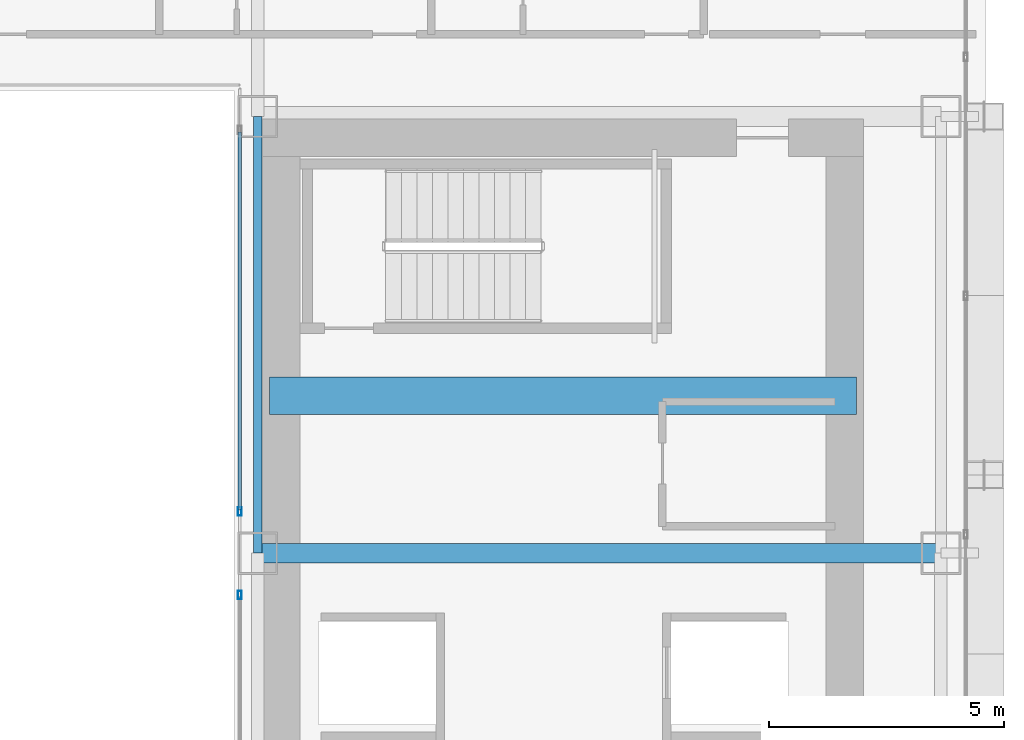
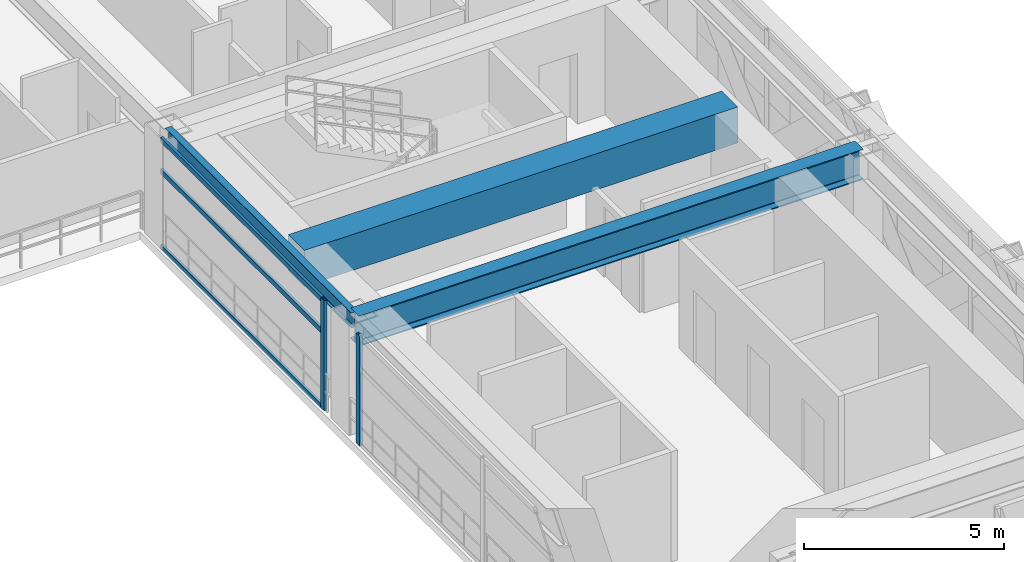
# One storey, part 17 of 41: 5 members, 3 beams, 2 elements without a shape of their own.
"""IFC4 building model written with IfcOpenShell, lengths in metres."""

from ifc_helpers import new_model, si_unit, direction, frame, origin, origin_2d, place, context, subcontext, project, spatial, rectangle, hollow_rectangle, i_section, extrude, source, transform, mapped, material, layer, layer_set, material_profile, profile_set, type_object, element, aggregate, save


model = new_model("IFC4")

# Units and contexts
model_context = context("Model", 3, precision=1e-05, world=origin(), true_north=direction((0.0, 1.0)))
body_context = subcontext(model_context, "Body", "Model", "MODEL_VIEW")
ifc_project = project(units=[si_unit("LENGTHUNIT", "METRE"), si_unit("AREAUNIT", "SQUARE_METRE"), si_unit("VOLUMEUNIT", "CUBIC_METRE"), si_unit("PLANEANGLEUNIT", "RADIAN"), si_unit("MASSUNIT", "GRAM", prefix="KILO")], contexts=[model_context])

# Site, building, storey
site_placement = place(None, origin())
site = spatial("IfcSite", under=ifc_project, at=site_placement, CompositionType="ELEMENT")
building_placement = place(site_placement, origin())
building = spatial("IfcBuilding", under=site, at=building_placement, Name="Ocotamira Hotel", CompositionType="ELEMENT")
storey_placement = place(building_placement, frame((0.0, 0.0, 52.800048828125)))
storey = spatial("IfcBuildingStorey", under=building, at=storey_placement, Name="L12", CompositionType="ELEMENT", Elevation=52.800048828125)

# Beams
ifc_material_1 = material(Name="Concrete C60/75", Category="concrete")
ifc_material_profile_1 = material_profile(ifc_material_1, rectangle(XDim=0.800048828125, YDim=1.10009765625, at=origin_2d()), Name="RC800X1100")
ifc_profile_set_1 = profile_set([ifc_material_profile_1], Name="Concrete C60/75")
beam_type_1 = type_object("IfcBeamType", Name="BM-LINK-RC800", PredefinedType="LINTEL", material=ifc_profile_set_1)
shared_shape_1 = source(origin(), body_context, "Body", "SweptSolid", [
    extrude(rectangle(XDim=0.800048828125, YDim=1.10009765625, at=origin_2d()), origin(), (0.0, 0.0, 1.0), 12.5),
])
beam_1_placement = place(storey_placement, frame((40.75, 31.5, 2.800048828125), z_axis=(1.0, 0.0, 0.0), x_axis=(0.0, 1.0, 0.0)))
element("IfcBeam", 1, at=beam_1_placement, inside=storey, type_object=beam_type_1, Name="L12 East Core Coupling Beam", PredefinedType="LINTEL", context=body_context, shape_type="MappedRepresentation", body=[
    mapped(shared_shape_1, transform((0.0, 0.0, 0.0), scale=1.0)),
])
ifc_material_2 = material(Name="Steel ASTM A992 Grade 50", Category="steel")
ifc_material_profile_2 = material_profile(ifc_material_2, i_section(OverallWidth=0.41796875, OverallDepth=0.927001953125, WebThickness=0.019287109375, FlangeThickness=0.031982421875, FilletRadius=0.02392578125, at=origin_2d()), Name="W36X231")
ifc_profile_set_2 = profile_set([ifc_material_profile_2], Name="Steel ASTM A992 Grade 50")
beam_type_2 = type_object("IfcBeamType", Name="BM-GIRD-W36X231", PredefinedType="BEAM", material=ifc_profile_set_2)
shared_shape_2 = source(origin(), body_context, "Body", "SweptSolid", [
    extrude(i_section(OverallWidth=0.41796875, OverallDepth=0.927001953125, WebThickness=0.019287109375, FlangeThickness=0.031982421875, FilletRadius=0.02392578125, at=origin_2d()), origin(), (0.0, 0.0, 1.0), 14.550048828125),
])
beam_2_placement = place(storey_placement, frame((40.5, 28.14990234375, 2.886474609375), z_axis=(1.0, 0.0, 0.0), x_axis=(0.0, 1.0, 0.0)))
element("IfcBeam", 2, at=beam_2_placement, inside=storey, type_object=beam_type_2, Name="L12 Girder Y28.15 X40.5-55.05", PredefinedType="BEAM", context=body_context, shape_type="MappedRepresentation", body=[
    mapped(shared_shape_2, transform((0.0, 0.0, 0.0), scale=1.0)),
])
ifc_material_profile_3 = material_profile(ifc_material_2, i_section(OverallWidth=0.18994140625, OverallDepth=0.45703125, WebThickness=0.009033203125, FlangeThickness=0.014404296875, FilletRadius=0.010009765625, at=origin_2d()), Name="W18X50")
ifc_profile_set_3 = profile_set([ifc_material_profile_3], Name="Steel ASTM A992 Grade 50")
beam_type_3 = type_object("IfcBeamType", Name="BM-SEC-W18X50", PredefinedType="JOIST", material=ifc_profile_set_3)
shared_shape_3 = source(origin(), body_context, "Body", "SweptSolid", [
    extrude(i_section(OverallWidth=0.18994140625, OverallDepth=0.45703125, WebThickness=0.009033203125, FlangeThickness=0.014404296875, FilletRadius=0.010009765625, at=origin_2d()), origin(), (0.0, 0.0, 1.0), 9.300048828125),
])
beam_3_placement = place(storey_placement, frame((40.5, 28.14990234375, 3.121337890625), z_axis=(0.0, 1.0, 0.0), x_axis=(-1.0, 0.0, 0.0)))
element("IfcBeam", 3, at=beam_3_placement, inside=storey, type_object=beam_type_3, Name="L12 Beam X40.5 Y28.15-37.45", PredefinedType="JOIST", context=body_context, shape_type="MappedRepresentation", body=[
    mapped(shared_shape_3, transform((0.0, 0.0, 0.0), scale=1.0)),
])

# Curtain wall, member
ifc_material_3 = material(Name="Anodised pale-metal aluminium and solar glass", Category="aluminium")
ifc_layer = layer(ifc_material_3, 0.159912109375)
ifc_layer_set = layer_set([ifc_layer], Name="Anodised pale-metal aluminium and solar glass")
curtain_wall_type = type_object("IfcCurtainWallType", Name="CW-SYS6-ATR", PredefinedType="NOTDEFINED", material=ifc_layer_set)
curtain_wall_1_placement = place(storey_placement, origin())
curtain_wall_1 = element("IfcCurtainWall", 4, at=curtain_wall_1_placement, inside=storey, type_object=curtain_wall_type, Name="L12 Curtain Wall CW-6 CW-L12-ATRE1", PredefinedType="NOTDEFINED")
ifc_material_4 = material(Name="Anodised pale-metal aluminium 6063-T6", Category="aluminium")
ifc_material_profile_4 = material_profile(ifc_material_4, hollow_rectangle(XDim=0.080078125, YDim=0.179931640625, WallThickness=0.006103515625, at=origin_2d()), Name="HSS180X80X6")
ifc_profile_set_4 = profile_set([ifc_material_profile_4], Name="Anodised pale-metal aluminium 6063-T6")
member_type_1 = type_object("IfcMemberType", Name="CWM-180X75", PredefinedType="MULLION", material=ifc_profile_set_4)
shared_shape_4 = source(origin(), body_context, "Body", "SweptSolid", [
    extrude(hollow_rectangle(XDim=0.080078125, YDim=0.179931640625, WallThickness=0.006103515625, at=origin_2d()), origin(), (0.0, 0.0, 1.0), 3.349853515625),
])
member_1_placement = place(storey_placement, frame((40.1201171875, 27.260009765625, 0.0), z_axis=(0.0, 0.0, 1.0), x_axis=(-1.0, 0.0, 0.0)))
member_1 = element("IfcMember", 5, at=member_1_placement, type_object=member_type_1, Name="CW-6 mullion 3", PredefinedType="MULLION", context=body_context, shape_type="MappedRepresentation", body=[
    mapped(shared_shape_4, transform((0.0, 0.0, 0.0), scale=1.0)),
])
aggregate(curtain_wall_1, [member_1])

# Curtain wall, members
curtain_wall_2_placement = place(storey_placement, origin())
curtain_wall_2 = element("IfcCurtainWall", 6, at=curtain_wall_2_placement, inside=storey, type_object=curtain_wall_type, Name="L12 Curtain Wall CW-6 CW-L12-ATRE2", PredefinedType="NOTDEFINED")
member_2_placement = place(storey_placement, frame((40.1201171875, 29.0400390625, 0.0), z_axis=(0.0, 0.0, 1.0), x_axis=(-1.0, 0.0, 0.0)))
member_2 = element("IfcMember", 7, at=member_2_placement, type_object=member_type_1, Name="CW-6 mullion 1", PredefinedType="MULLION", context=body_context, shape_type="MappedRepresentation", body=[
    mapped(shared_shape_4, transform((0.0, 0.0, 0.0), scale=1.0)),
])
ifc_material_profile_5 = material_profile(ifc_material_4, hollow_rectangle(XDim=0.074951171875, YDim=0.14990234375, WallThickness=0.006103515625, at=origin_2d()), Name="HSS150X75X6")
ifc_profile_set_5 = profile_set([ifc_material_profile_5], Name="Anodised pale-metal aluminium 6063-T6")
member_type_2 = type_object("IfcMemberType", Name="CWT-150X75", PredefinedType="USERDEFINED", material=ifc_profile_set_5)
shared_shape_5 = source(origin(), body_context, "Body", "SweptSolid", [
    extrude(hollow_rectangle(XDim=0.074951171875, YDim=0.14990234375, WallThickness=0.006103515625, at=origin_2d()), origin(), (0.0, 0.0, 1.0), 8.0400390625),
])
member_3_placement = place(storey_placement, frame((40.1201171875, 29.080078125, 0.037353515625), z_axis=(0.0, 1.0, 0.0), x_axis=(-1.0, 0.0, 0.0)))
member_3 = element("IfcMember", 8, at=member_3_placement, type_object=member_type_2, Name="CW-6 transom 1.1", ObjectType="TRANSOM", PredefinedType="USERDEFINED", context=body_context, shape_type="MappedRepresentation", body=[
    mapped(shared_shape_5, transform((0.0, 0.0, 0.0), scale=1.0)),
])
member_4_placement = place(storey_placement, frame((40.1201171875, 29.080078125, 2.349853515625), z_axis=(0.0, 1.0, 0.0), x_axis=(-1.0, 0.0, 0.0)))
member_4 = element("IfcMember", 9, at=member_4_placement, type_object=member_type_2, Name="CW-6 transom 1.2", ObjectType="TRANSOM", PredefinedType="USERDEFINED", context=body_context, shape_type="MappedRepresentation", body=[
    mapped(shared_shape_5, transform((0.0, 0.0, 0.0), scale=1.0)),
])
member_5_placement = place(storey_placement, frame((40.1201171875, 29.080078125, 3.3125), z_axis=(0.0, 1.0, 0.0), x_axis=(-1.0, 0.0, 0.0)))
member_5 = element("IfcMember", 10, at=member_5_placement, type_object=member_type_2, Name="CW-6 transom 1.3", ObjectType="TRANSOM", PredefinedType="USERDEFINED", context=body_context, shape_type="MappedRepresentation", body=[
    mapped(shared_shape_5, transform((0.0, 0.0, 0.0), scale=1.0)),
])
aggregate(curtain_wall_2, [member_2, member_3, member_4, member_5])

save(model, "model.ifc")
